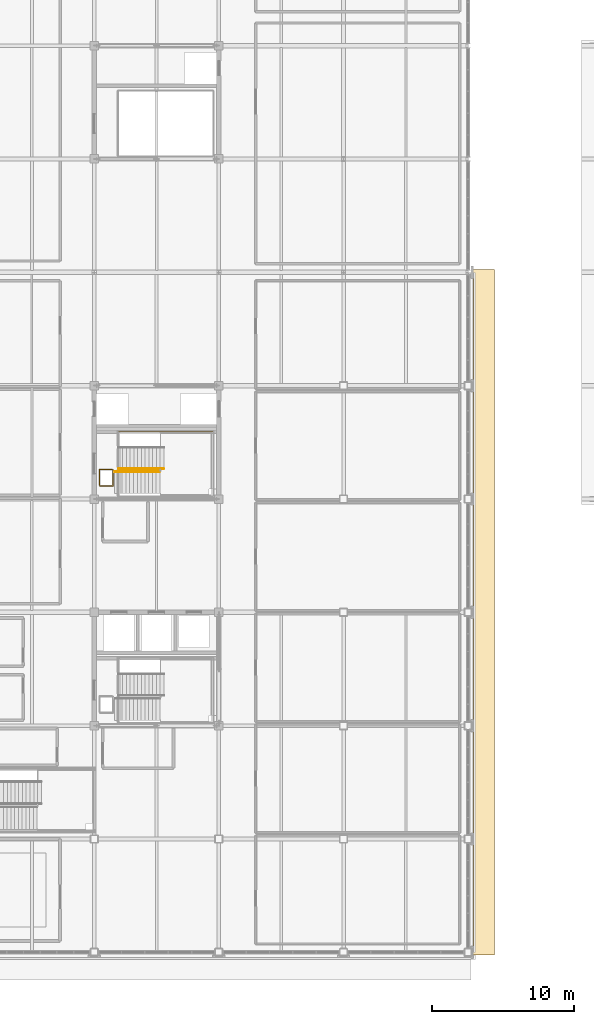
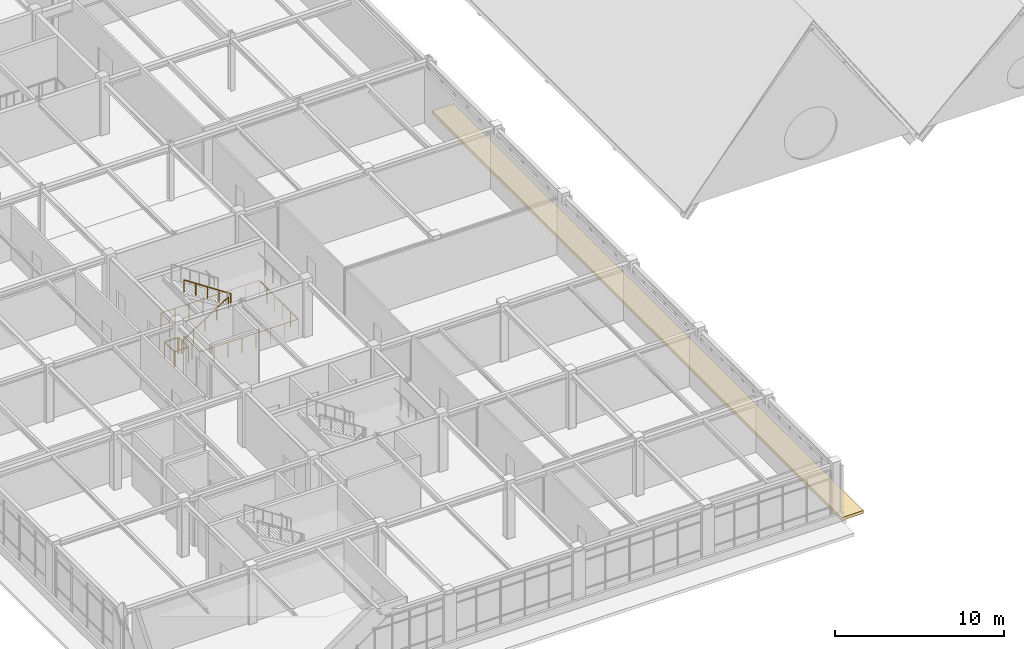
# One storey, part 62 of 64: 5 railings, 1 covering.
"""IFC4 building model written with IfcOpenShell, lengths in metres."""

from ifc_helpers import new_model, si_unit, direction, frame, origin, origin_2d, place, context, subcontext, project, spatial, rectangle, circle, extrude, material, layer, layer_set, type_object, element, save


model = new_model("IFC4")

# Units and contexts
model_context = context("Model", 3, precision=1e-05, world=origin(), true_north=direction((0.0, 1.0)))
body_context = subcontext(model_context, "Body", "Model", "MODEL_VIEW")
ifc_project = project(units=[si_unit("LENGTHUNIT", "METRE"), si_unit("AREAUNIT", "SQUARE_METRE"), si_unit("VOLUMEUNIT", "CUBIC_METRE"), si_unit("PLANEANGLEUNIT", "RADIAN"), si_unit("MASSUNIT", "GRAM", prefix="KILO")], contexts=[model_context])

# Site, building, storey
site_placement = place(None, origin())
site = spatial("IfcSite", under=ifc_project, at=site_placement, CompositionType="ELEMENT")
building_placement = place(site_placement, origin())
building = spatial("IfcBuilding", under=site, at=building_placement, Name="Zhaolan Boulevard Law Courts", CompositionType="ELEMENT")
storey_placement = place(building_placement, frame((0.0, 0.0, 20.39990234375)))
storey = spatial("IfcBuildingStorey", under=building, at=storey_placement, Name="L04", CompositionType="ELEMENT", Elevation=20.39990234375)

# Covering
ifc_material_1 = material(Name="Fair-faced architectural concrete C40", Category="concrete")
ifc_layer = layer(ifc_material_1, 0.219970703125)
ifc_layer_set = layer_set([ifc_layer])
covering_type = type_object("IfcCoveringType", Name="CONCRETE STORMHOOD 220", PredefinedType="CLADDING", material=ifc_layer_set)
covering_placement = place(storey_placement, frame((45.10009765625, 54.0, -0.2197265625), z_axis=(0.0, 0.0, 1.0), x_axis=(1.0, 0.0, 0.0)))
element("IfcCovering", 1, at=covering_placement, inside=storey, type_object=covering_type, Name="Sculpted Concrete Typhoon Stormhood CSH-07", PredefinedType="CLADDING", context=body_context, shape_type="SweptSolid", body=[
    extrude(rectangle(XDim=1.5, YDim=48.39990234375, at=origin_2d()), origin(), (0.0, 0.0, 1.0), 0.219970703125),
])

# Railings
ifc_material_2 = material(Name="Powder-coated steel and tempered laminated glass", Category="steel")
railing_type_1 = type_object("IfcRailingType", Name="INTERIOR GUARDRAIL 1150", PredefinedType="GUARDRAIL", material=ifc_material_2)
railing_1_placement = place(storey_placement, frame((18.010009765625, 62.919921875, 0.0)))
element("IfcRailing", 2, at=railing_1_placement, inside=storey, type_object=railing_type_1, Name="Atrium Gallery Guardrail VG-4-V5-10A", PredefinedType="GUARDRAIL", context=body_context, shape_type="SweptSolid", body=[
    extrude(circle(Radius=0.02490234375, at=origin_2d()), frame((0.0, 0.0, 1.125), z_axis=(1.0, 0.0, 0.0), x_axis=(0.0, 1.0, 0.0)), (0.0, 0.0, 1.0), 0.919921875),
    extrude(circle(Radius=0.02490234375, at=origin_2d()), frame((0.919921875, 0.0, 1.125), z_axis=(0.0, 1.0, 0.0), x_axis=(-1.0, 0.0, 0.0)), (0.0, 0.0, 1.0), 1.1201171875),
    extrude(circle(Radius=0.02099609375, at=origin_2d()), origin(), (0.0, 0.0, 1.0), 1.099853515625),
    extrude(circle(Radius=0.02099609375, at=origin_2d()), frame((0.919921875, 0.0, 0.0)), (0.0, 0.0, 1.0), 1.099853515625),
    extrude(circle(Radius=0.02099609375, at=origin_2d()), frame((0.919921875, 1.1201171875, 0.0)), (0.0, 0.0, 1.0), 1.099853515625),
])
railing_2_placement = place(storey_placement, frame((18.8701171875, 64.080078125, 0.0)))
element("IfcRailing", 3, at=railing_2_placement, inside=storey, type_object=railing_type_1, Name="Atrium Gallery Guardrail VG-4-V5-10B", PredefinedType="GUARDRAIL", context=body_context, shape_type="SweptSolid", body=[
    extrude(circle(Radius=0.02490234375, at=origin_2d()), frame((0.0, 0.0, 1.125), z_axis=(-1.0, 0.0, 0.0), x_axis=(0.0, -1.0, 0.0)), (0.0, 0.0, 1.0), 0.900146484375),
    extrude(circle(Radius=0.02490234375, at=origin_2d()), frame((-0.900146484375, 0.0, 1.125), z_axis=(0.0, -1.0, 0.0), x_axis=(1.0, 0.0, 0.0)), (0.0, 0.0, 1.0), 1.10009765625),
    extrude(circle(Radius=0.02099609375, at=origin_2d()), origin(), (0.0, 0.0, 1.0), 1.099853515625),
    extrude(circle(Radius=0.02099609375, at=origin_2d()), frame((-0.900146484375, 0.0, 0.0)), (0.0, 0.0, 1.0), 1.099853515625),
    extrude(circle(Radius=0.02099609375, at=origin_2d()), frame((-0.900146484375, -1.10009765625, 0.0)), (0.0, 0.0, 1.0), 1.099853515625),
])
ifc_material_3 = material(Name="Brushed stainless steel tubular handrail", Category="steel")
railing_type_2 = type_object("IfcRailingType", Name="STAIR HANDRAIL 900", PredefinedType="HANDRAIL", material=ifc_material_3)
railing_3_placement = place(storey_placement, frame((19.050048828125, 63.919921875, 0.0)))
element("IfcRailing", 4, at=railing_3_placement, inside=storey, type_object=railing_type_2, Name="Stair Handrail HR-ST02-L04-1", PredefinedType="HANDRAIL", context=body_context, shape_type="SweptSolid", body=[
    extrude(circle(Radius=0.0224609375, at=origin_2d()), frame((0.0, 0.0, 0.87744140625), z_axis=(0.834447378162, 0.0, 0.551087627405), x_axis=(0.0, 1.0, 0.0)), (0.0, 0.0, 1.0), 3.810791015625),
    extrude(circle(Radius=0.01904296875, at=origin_2d()), origin(), (0.0, 0.0, 1.0), 0.85498046875),
    extrude(circle(Radius=0.01904296875, at=origin_2d()), frame((0.794921875, 0.0, 0.52490234375)), (0.0, 0.0, 1.0), 0.85498046875),
    extrude(circle(Radius=0.01904296875, at=origin_2d()), frame((1.58984375, 0.0, 1.050048828125)), (0.0, 0.0, 1.0), 0.85498046875),
    extrude(circle(Radius=0.01904296875, at=origin_2d()), frame((2.385009765625, 0.0, 1.5751953125)), (0.0, 0.0, 1.0), 0.85498046875),
    extrude(circle(Radius=0.01904296875, at=origin_2d()), frame((3.179931640625, 0.0, 2.10009765625)), (0.0, 0.0, 1.0), 0.85498046875),
])
railing_4_placement = place(storey_placement, frame((22.514892578125, 64.139892578125, 2.10009765625)))
element("IfcRailing", 5, at=railing_4_placement, inside=storey, type_object=railing_type_2, Name="Stair Handrail HR-ST02-L04-2", PredefinedType="HANDRAIL", context=body_context, shape_type="SweptSolid", body=[
    extrude(circle(Radius=0.0224609375, at=origin_2d()), frame((0.0, 0.0, 0.87744140625), z_axis=(-0.834447378162, 0.0, 0.551087627405), x_axis=(0.0, -1.0, 0.0)), (0.0, 0.0, 1.0), 3.810791015625),
    extrude(circle(Radius=0.01904296875, at=origin_2d()), origin(), (0.0, 0.0, 1.0), 0.85498046875),
    extrude(circle(Radius=0.01904296875, at=origin_2d()), frame((-0.794921875, 0.0, 0.52490234375)), (0.0, 0.0, 1.0), 0.85498046875),
    extrude(circle(Radius=0.01904296875, at=origin_2d()), frame((-1.58984375, 0.0, 1.050048828125)), (0.0, 0.0, 1.0), 0.85498046875),
    extrude(circle(Radius=0.01904296875, at=origin_2d()), frame((-2.385009765625, 0.0, 1.5751953125)), (0.0, 0.0, 1.0), 0.85498046875),
    extrude(circle(Radius=0.01904296875, at=origin_2d()), frame((-3.179931640625, 0.0, 2.10009765625)), (0.0, 0.0, 1.0), 0.85498046875),
])
ifc_material_4 = material(Name="Powder-coated steel baluster guardrail", Category="steel")
railing_type_3 = type_object("IfcRailingType", Name="STAIR WELL GUARDRAIL 1120", PredefinedType="GUARDRAIL", material=ifc_material_4)
railing_5_placement = place(storey_placement, frame((19.2900390625, 64.050048828125, 0.0)))
element("IfcRailing", 6, at=railing_5_placement, inside=storey, type_object=railing_type_3, Name="Stair-Well Floor Guardrail WG-ST02-L03", PredefinedType="GUARDRAIL", context=body_context, shape_type="SweptSolid", body=[
    extrude(circle(Radius=0.02392578125, at=origin_2d()), frame((0.0, 0.0, 1.09619140625), z_axis=(0.0, -1.0, 0.0), x_axis=(1.0, 0.0, 0.0)), (0.0, 0.0, 1.0), 1.85009765625),
    extrude(circle(Radius=0.02392578125, at=origin_2d()), frame((0.0, -1.85009765625, 1.09619140625), z_axis=(1.0, 0.0, 0.0), x_axis=(0.0, 1.0, 0.0)), (0.0, 0.0, 1.0), 6.7099609375),
    extrude(circle(Radius=0.02392578125, at=origin_2d()), frame((6.7099609375, -1.85009765625, 1.09619140625), z_axis=(0.0, 1.0, 0.0), x_axis=(-1.0, 0.0, 0.0)), (0.0, 0.0, 1.0), 4.60009765625),
    extrude(circle(Radius=0.02392578125, at=origin_2d()), frame((6.7099609375, 2.75, 1.09619140625), z_axis=(-1.0, 0.0, 0.0), x_axis=(0.0, -1.0, 0.0)), (0.0, 0.0, 1.0), 6.7099609375),
    extrude(circle(Radius=0.02392578125, at=origin_2d()), frame((0.0, 2.75, 1.09619140625), z_axis=(0.0, -1.0, 0.0), x_axis=(1.0, 0.0, 0.0)), (0.0, 0.0, 1.0), 1.0),
    extrude(circle(Radius=0.02099609375, at=origin_2d()), origin(), (0.0, 0.0, 1.0), 1.072021484375),
    extrude(circle(Radius=0.02099609375, at=origin_2d()), frame((0.0, -0.925048828125, 0.0)), (0.0, 0.0, 1.0), 1.072021484375),
    extrude(circle(Radius=0.02099609375, at=origin_2d()), frame((0.0, -1.85009765625, 0.0)), (0.0, 0.0, 1.0), 1.072021484375),
    extrude(circle(Radius=0.02099609375, at=origin_2d()), frame((0.95849609375, -1.85009765625, 0.0)), (0.0, 0.0, 1.0), 1.072021484375),
    extrude(circle(Radius=0.02099609375, at=origin_2d()), frame((1.917236328125, -1.85009765625, 0.0)), (0.0, 0.0, 1.0), 1.072021484375),
    extrude(circle(Radius=0.02099609375, at=origin_2d()), frame((2.875732421875, -1.85009765625, 0.0)), (0.0, 0.0, 1.0), 1.072021484375),
    extrude(circle(Radius=0.02099609375, at=origin_2d()), frame((3.834228515625, -1.85009765625, 0.0)), (0.0, 0.0, 1.0), 1.072021484375),
    extrude(circle(Radius=0.02099609375, at=origin_2d()), frame((4.792724609375, -1.85009765625, 0.0)), (0.0, 0.0, 1.0), 1.072021484375),
    extrude(circle(Radius=0.02099609375, at=origin_2d()), frame((5.75146484375, -1.85009765625, 0.0)), (0.0, 0.0, 1.0), 1.072021484375),
    extrude(circle(Radius=0.02099609375, at=origin_2d()), frame((6.7099609375, -1.85009765625, 0.0)), (0.0, 0.0, 1.0), 1.072021484375),
    extrude(circle(Radius=0.02099609375, at=origin_2d()), frame((6.7099609375, -0.93017578125, 0.0)), (0.0, 0.0, 1.0), 1.072021484375),
    extrude(circle(Radius=0.02099609375, at=origin_2d()), frame((6.7099609375, -0.010009765625, 0.0)), (0.0, 0.0, 1.0), 1.072021484375),
    extrude(circle(Radius=0.02099609375, at=origin_2d()), frame((6.7099609375, 0.909912109375, 0.0)), (0.0, 0.0, 1.0), 1.072021484375),
    extrude(circle(Radius=0.02099609375, at=origin_2d()), frame((6.7099609375, 1.830078125, 0.0)), (0.0, 0.0, 1.0), 1.072021484375),
    extrude(circle(Radius=0.02099609375, at=origin_2d()), frame((6.7099609375, 2.75, 0.0)), (0.0, 0.0, 1.0), 1.072021484375),
    extrude(circle(Radius=0.02099609375, at=origin_2d()), frame((5.75146484375, 2.75, 0.0)), (0.0, 0.0, 1.0), 1.072021484375),
    extrude(circle(Radius=0.02099609375, at=origin_2d()), frame((4.792724609375, 2.75, 0.0)), (0.0, 0.0, 1.0), 1.072021484375),
    extrude(circle(Radius=0.02099609375, at=origin_2d()), frame((3.834228515625, 2.75, 0.0)), (0.0, 0.0, 1.0), 1.072021484375),
    extrude(circle(Radius=0.02099609375, at=origin_2d()), frame((2.875732421875, 2.75, 0.0)), (0.0, 0.0, 1.0), 1.072021484375),
    extrude(circle(Radius=0.02099609375, at=origin_2d()), frame((1.917236328125, 2.75, 0.0)), (0.0, 0.0, 1.0), 1.072021484375),
    extrude(circle(Radius=0.02099609375, at=origin_2d()), frame((0.95849609375, 2.75, 0.0)), (0.0, 0.0, 1.0), 1.072021484375),
    extrude(circle(Radius=0.02099609375, at=origin_2d()), frame((0.0, 2.75, 0.0)), (0.0, 0.0, 1.0), 1.072021484375),
    extrude(circle(Radius=0.02099609375, at=origin_2d()), frame((0.0, 1.75, 0.0)), (0.0, 0.0, 1.0), 1.072021484375),
])

save(model, "model.ifc")
